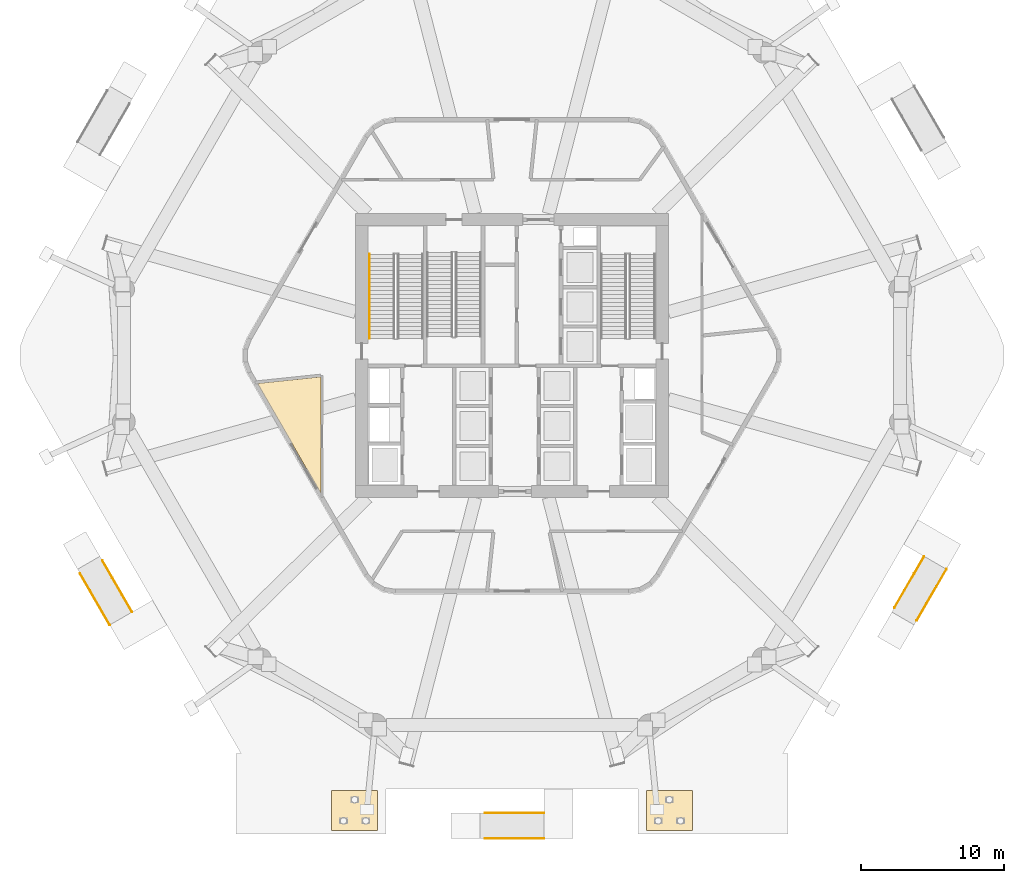
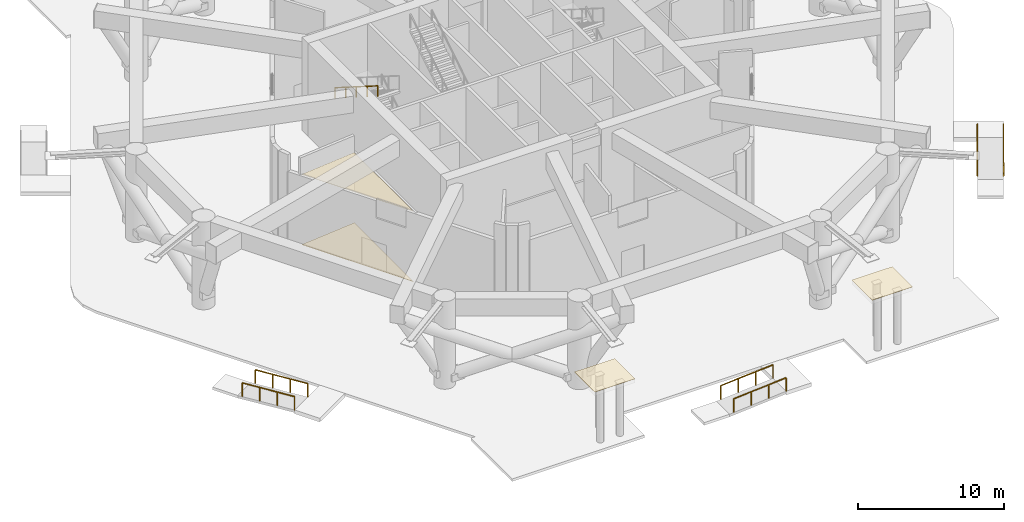
# One storey, part 13 of 17: 7 railings, 4 coverings.
"""IFC4 building model written with IfcOpenShell, lengths in metres."""

from ifc_helpers import new_model, si_unit, direction, frame, origin, origin_2d, place, context, subcontext, project, spatial, polyline, rectangle, outline, extrude, material, layer, layer_set, type_object, element, save


model = new_model("IFC4")

# Units and contexts
model_context = context("Model", 3, precision=1e-05, world=origin(), true_north=direction((0.0, 1.0)))
body_context = subcontext(model_context, "Body", "Model", "MODEL_VIEW")
ifc_project = project(units=[si_unit("LENGTHUNIT", "METRE"), si_unit("AREAUNIT", "SQUARE_METRE"), si_unit("VOLUMEUNIT", "CUBIC_METRE"), si_unit("PLANEANGLEUNIT", "RADIAN"), si_unit("MASSUNIT", "GRAM", prefix="KILO")], contexts=[model_context])

# Site, building, storey
site_placement = place(None, origin())
site = spatial("IfcSite", under=ifc_project, at=site_placement, CompositionType="ELEMENT")
building_placement = place(site_placement, origin())
building = spatial("IfcBuilding", under=site, at=building_placement, Name="Zuhravey Tower", CompositionType="ELEMENT")
storey_placement = place(building_placement, origin())
storey = spatial("IfcBuildingStorey", under=building, at=storey_placement, Name="L01", CompositionType="ELEMENT", Elevation=0.0)

# Covering
ifc_material_1 = material(Name="Mineral-fibre acoustic ceiling tile")
ifc_layer_1 = layer(ifc_material_1, 0.02490234375)
ifc_layer_set_1 = layer_set([ifc_layer_1], Name="Mineral-fibre acoustic ceiling tile")
covering_type_1 = type_object("IfcCoveringType", Name="Acoustic Suspended Ceiling", PredefinedType="CEILING", material=ifc_layer_set_1)
covering_1_placement = place(storey_placement, frame((0.0, 0.0, 5.889892578125)))
element("IfcCovering", 1, at=covering_1_placement, inside=storey, type_object=covering_type_1, Name="L01 Acoustic Suspended Ceiling CLG1", PredefinedType="CEILING", context=body_context, shape_type="SweptSolid", body=[
    extrude(outline(polyline([(22.635009765625, 22.37353515625), (18.20361328125, 30.049072265625), (22.635009765625, 30.514892578125), (22.635009765625, 22.37353515625)])), origin(), (0.0, 0.0, 1.0), 0.025146484375),
])

# Railings
ifc_material_2 = material(Name="Stainless steel 316 and laminated glass", Category="steel")
railing_type_1 = type_object("IfcRailingType", Name="Balcony & Terrace Guardrail 1150", PredefinedType="BALUSTRADE", material=ifc_material_2)
for number, where, name in (
    (2, (7.37109375, 17.6650390625, -0.300048828125), "L01 Accessible Ramp 04 Handrail L"),
    (3, (5.812255859375, 16.764892578125, -0.300048828125), "L01 Accessible Ramp 04 Handrail R"),
):
    element("IfcRailing", number, at=place(storey_placement, frame(where)), inside=storey, type_object=railing_type_1, Name=name, PredefinedType="BALUSTRADE", context=body_context, shape_type="SweptSolid", body=[
        extrude(rectangle(XDim=0.048095703125, YDim=0.048095703125, at=origin_2d()), frame((0.0009765625, -0.001708984375, 1.1259765625), z_axis=(0.498690597145, -0.863775065369, 0.072113277314), x_axis=(0.86602981871, 0.499992353047, 0.0)), (0.0, 0.0, 1.0), 4.15673828125),
        extrude(rectangle(XDim=0.0419921875, YDim=0.0419921875, at=origin_2d()), origin(), (0.0, 0.0, 1.0), 1.099853515625),
        extrude(rectangle(XDim=0.0419921875, YDim=0.0419921875, at=origin_2d()), frame((0.691650390625, -1.197998046875, 0.10009765625)), (0.0, 0.0, 1.0), 1.099853515625),
        extrude(rectangle(XDim=0.0419921875, YDim=0.0419921875, at=origin_2d()), frame((1.38330078125, -2.39599609375, 0.199951171875)), (0.0, 0.0, 1.0), 1.099853515625),
        extrude(rectangle(XDim=0.0419921875, YDim=0.0419921875, at=origin_2d()), frame((2.074951171875, -3.593994140625, 0.300048828125)), (0.0, 0.0, 1.0), 1.099853515625),
    ])
for number, where, name in (
    (4, (34.10009765625, 0.0390625, -0.300048828125), "L01 Accessible Ramp 05 Handrail L"),
    (5, (34.10009765625, -1.760986328125, -0.300048828125), "L01 Accessible Ramp 05 Handrail R"),
):
    element("IfcRailing", number, at=place(storey_placement, frame(where)), inside=storey, type_object=railing_type_1, Name=name, PredefinedType="BALUSTRADE", context=body_context, shape_type="SweptSolid", body=[
        extrude(rectangle(XDim=0.048095703125, YDim=0.048095703125, at=origin_2d()), frame((0.001953125, 0.0, 1.1259765625), z_axis=(0.997396369049, 0.0, 0.072114374489), x_axis=(0.0, 1.0, 0.0)), (0.0, 0.0, 1.0), 4.15673828125),
        extrude(rectangle(XDim=0.0419921875, YDim=0.0419921875, at=origin_2d()), origin(), (0.0, 0.0, 1.0), 1.099853515625),
        extrude(rectangle(XDim=0.0419921875, YDim=0.0419921875, at=origin_2d()), frame((1.38330078125, 0.0, 0.10009765625)), (0.0, 0.0, 1.0), 1.099853515625),
        extrude(rectangle(XDim=0.0419921875, YDim=0.0419921875, at=origin_2d()), frame((2.7666015625, 0.0, 0.199951171875)), (0.0, 0.0, 1.0), 1.099853515625),
        extrude(rectangle(XDim=0.0419921875, YDim=0.0419921875, at=origin_2d()), frame((4.14990234375, 0.0, 0.300048828125)), (0.0, 0.0, 1.0), 1.099853515625),
    ])
for number, where, name in (
    (6, (62.72900390625, 14.3740234375, -0.300048828125), "L01 Accessible Ramp 06 Handrail L"),
    (7, (64.287841796875, 13.47412109375, -0.300048828125), "L01 Accessible Ramp 06 Handrail R"),
):
    element("IfcRailing", number, at=place(storey_placement, frame(where)), inside=storey, type_object=railing_type_1, Name=name, PredefinedType="BALUSTRADE", context=body_context, shape_type="SweptSolid", body=[
        extrude(rectangle(XDim=0.048095703125, YDim=0.048095703125, at=origin_2d()), frame((0.0009765625, 0.001708984375, 1.1259765625), z_axis=(0.498690597145, 0.863775065369, 0.072113277314), x_axis=(-0.86602981871, 0.499992353047, 0.0)), (0.0, 0.0, 1.0), 4.15673828125),
        extrude(rectangle(XDim=0.0419921875, YDim=0.0419921875, at=origin_2d()), origin(), (0.0, 0.0, 1.0), 1.099853515625),
        extrude(rectangle(XDim=0.0419921875, YDim=0.0419921875, at=origin_2d()), frame((0.691650390625, 1.197998046875, 0.10009765625)), (0.0, 0.0, 1.0), 1.099853515625),
        extrude(rectangle(XDim=0.0419921875, YDim=0.0419921875, at=origin_2d()), frame((1.38330078125, 2.39599609375, 0.199951171875)), (0.0, 0.0, 1.0), 1.099853515625),
        extrude(rectangle(XDim=0.0419921875, YDim=0.0419921875, at=origin_2d()), frame((2.074951171875, 3.593994140625, 0.300048828125)), (0.0, 0.0, 1.0), 1.099853515625),
    ])

# Coverings
ifc_material_3 = material(Name="EPDM insulated roof membrane")
ifc_layer_2 = layer(ifc_material_3, 0.01806640625)
ifc_layer_set_2 = layer_set([ifc_layer_2], Name="EPDM insulated roof membrane")
covering_type_2 = type_object("IfcCoveringType", Name="Roof Waterproofing Membrane", PredefinedType="ROOFING", material=ifc_layer_set_2)
covering_2_placement = place(storey_placement, frame((0.0, 0.0, 4.7685546875)))
element("IfcCovering", 8, at=covering_2_placement, inside=storey, type_object=covering_type_2, Name="L01 Canopy Waterproofing Membrane RFM1-S1", PredefinedType="ROOFING", context=body_context, shape_type="SweptSolid", body=[
    extrude(outline(polyline([(23.39990234375, -1.199951171875), (26.60009765625, -1.199951171875), (26.60009765625, 1.60009765625), (23.39990234375, 1.60009765625), (23.39990234375, -1.199951171875)])), origin(), (0.0, 0.0, 1.0), 0.01806640625),
])
covering_3_placement = place(storey_placement, frame((0.0, 0.0, 4.7685546875)))
element("IfcCovering", 9, at=covering_3_placement, inside=storey, type_object=covering_type_2, Name="L01 Canopy Waterproofing Membrane RFM1-S2", PredefinedType="ROOFING", context=body_context, shape_type="SweptSolid", body=[
    extrude(outline(polyline([(45.39990234375, -1.199951171875), (48.60009765625, -1.199951171875), (48.60009765625, 1.60009765625), (45.39990234375, 1.60009765625), (45.39990234375, -1.199951171875)])), origin(), (0.0, 0.0, 1.0), 0.01806640625),
])
ifc_material_4 = material(Name="Engineered oak acoustic flooring")
ifc_layer_3 = layer(ifc_material_4, 0.02197265625)
ifc_layer_set_3 = layer_set([ifc_layer_3], Name="Engineered oak acoustic flooring")
covering_type_3 = type_object("IfcCoveringType", Name="School Resilient Timber Flooring", PredefinedType="FLOORING", material=ifc_layer_set_3)
covering_4_placement = place(storey_placement, origin())
element("IfcCovering", 10, at=covering_4_placement, inside=storey, type_object=covering_type_3, Name="L01 Principal Room Acoustic Flooring", PredefinedType="FLOORING", context=body_context, shape_type="SweptSolid", body=[
    extrude(outline(polyline([(22.635009765625, 22.37353515625), (18.20361328125, 30.049072265625), (22.635009765625, 30.514892578125), (22.635009765625, 22.37353515625)])), origin(), (0.0, 0.0, 1.0), 0.02197265625),
])

# Railing
ifc_material_5 = material(Name="Brushed stainless steel", Category="steel")
railing_type_2 = type_object("IfcRailingType", Name="Stair Wall Handrail 900", PredefinedType="HANDRAIL", material=ifc_material_5)
railing_placement = place(storey_placement, frame((26.050048828125, 39.080078125, 4.077392578125)))
element("IfcRailing", 11, at=railing_placement, inside=storey, type_object=railing_type_2, Name="L01 ST1 stair handrail 2", PredefinedType="HANDRAIL", context=body_context, shape_type="SweptSolid", body=[
    extrude(rectangle(XDim=0.048095703125, YDim=0.048095703125, at=origin_2d()), frame((0.0, -0.001708984375, 0.876953125), z_axis=(0.0, -0.844911562809, 0.534906020748), x_axis=(1.0, 0.0, 0.0)), (0.0, 0.0, 1.0), 6.95556640625),
    extrude(rectangle(XDim=0.0419921875, YDim=0.0419921875, at=origin_2d()), origin(), (0.0, 0.0, 1.0), 0.849853515625),
    extrude(rectangle(XDim=0.0419921875, YDim=0.0419921875, at=origin_2d()), frame((0.0, -1.469970703125, 0.9306640625)), (0.0, 0.0, 1.0), 0.849853515625),
    extrude(rectangle(XDim=0.0419921875, YDim=0.0419921875, at=origin_2d()), frame((0.0, -2.93994140625, 1.861328125)), (0.0, 0.0, 1.0), 0.849853515625),
    extrude(rectangle(XDim=0.0419921875, YDim=0.0419921875, at=origin_2d()), frame((0.0, -4.41015625, 2.7919921875)), (0.0, 0.0, 1.0), 0.849853515625),
    extrude(rectangle(XDim=0.0419921875, YDim=0.0419921875, at=origin_2d()), frame((0.0, -5.880126953125, 3.72265625)), (0.0, 0.0, 1.0), 0.849853515625),
])

save(model, "model.ifc")
